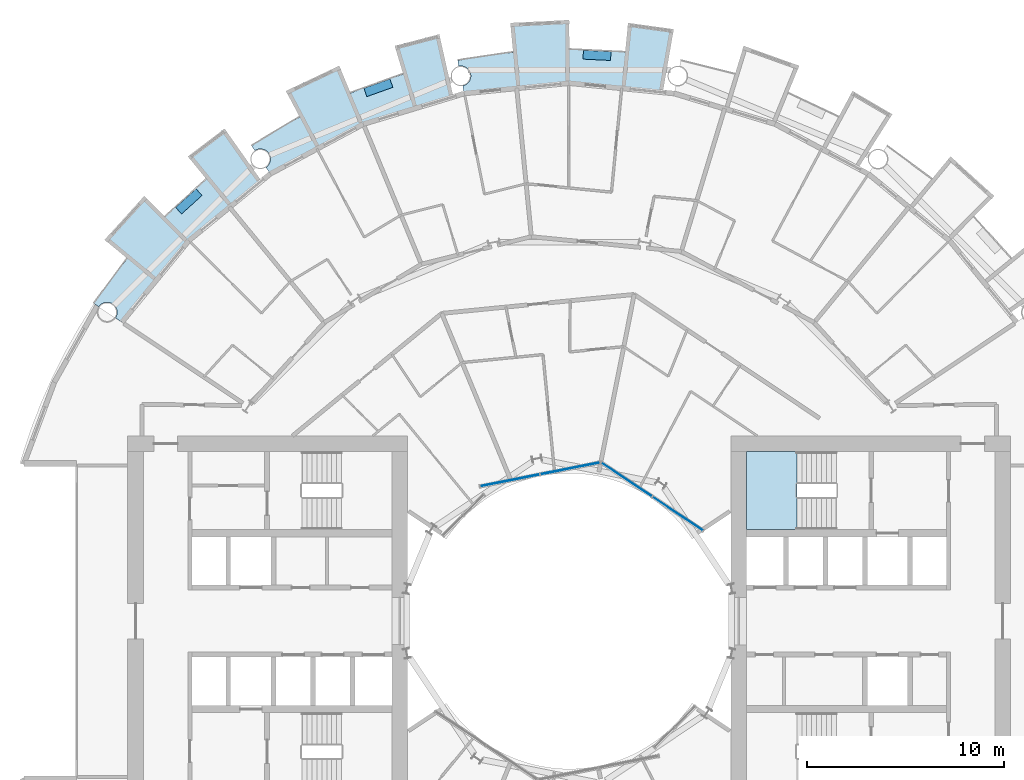
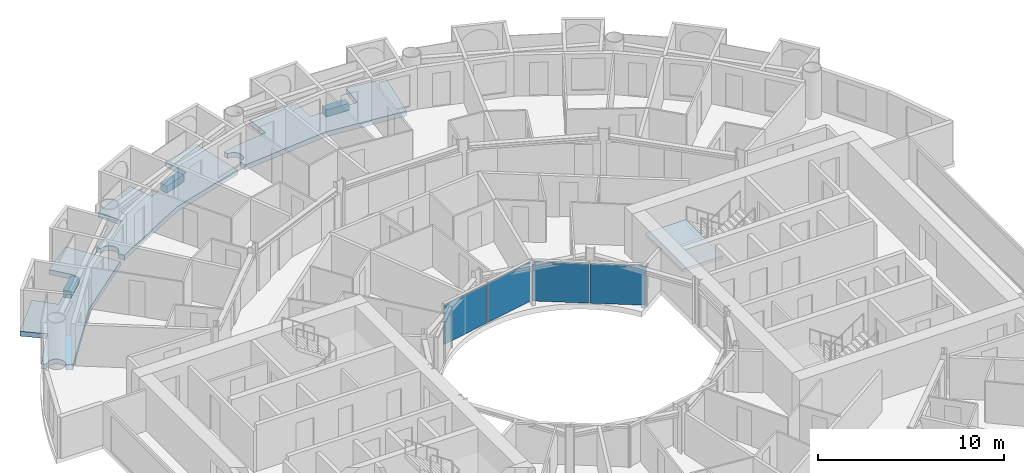
# One storey, part 11 of 26: 7 slabs, 4 plates, 3 elements without a shape of their own.
"""IFC4 building model written with IfcOpenShell, lengths in metres."""

from ifc_helpers import new_model, si_unit, direction, frame, origin, origin_2d, place, context, subcontext, project, spatial, polyline, rectangle, outline, extrude, material, layer, layer_set, type_object, element, aggregate, save


model = new_model("IFC4")

# Units and contexts
model_context = context("Model", 3, precision=1e-05, world=origin(), true_north=direction((0.0, 1.0)))
body_context = subcontext(model_context, "Body", "Model", "MODEL_VIEW")
ifc_project = project(units=[si_unit("LENGTHUNIT", "METRE"), si_unit("AREAUNIT", "SQUARE_METRE"), si_unit("VOLUMEUNIT", "CUBIC_METRE"), si_unit("PLANEANGLEUNIT", "RADIAN"), si_unit("MASSUNIT", "GRAM", prefix="KILO")], contexts=[model_context])

# Site, building, storey
site_placement = place(None, origin())
site = spatial("IfcSite", under=ifc_project, at=site_placement, CompositionType="ELEMENT")
building_placement = place(site_placement, origin())
building = spatial("IfcBuilding", under=site, at=building_placement, Name="Maasbend Ring Residences", CompositionType="ELEMENT")
storey_placement = place(building_placement, frame((0.0, 0.0, 25.85009765625)))
storey = spatial("IfcBuildingStorey", under=building, at=storey_placement, Name="L06", CompositionType="ELEMENT", Elevation=25.85009765625)

# Stair, slab
ifc_material_1 = material(Name="Concrete C40/50", Category="concrete")
stair_type = type_object("IfcStairType", Name="CORE STAIR 18 RISERS", PredefinedType="HALF_TURN_STAIR", material=ifc_material_1)
stair_placement = place(storey_placement, origin())
stair = element("IfcStair", 1, at=stair_placement, inside=storey, type_object=stair_type, Name="L06 Exit stair ST-E1", PredefinedType="HALF_TURN_STAIR")
ifc_material_2 = material(Name="Concrete C40/50", Category="concrete")
ifc_layer_1 = layer(ifc_material_2, 0.199951171875)
ifc_layer_set_1 = layer_set([ifc_layer_1], Name="Concrete C40/50")
slab_type_1 = type_object("IfcSlabType", Name="CORE STAIR LANDING 200", PredefinedType="LANDING", material=ifc_layer_set_1)
slab_1_placement = place(storey_placement, frame((0.0, 0.0, 1.324951171875)))
slab_1 = element("IfcSlab", 2, at=slab_1_placement, type_object=slab_type_1, Name="ST-E1 landing 1", PredefinedType="LANDING", context=body_context, shape_type="SweptSolid", body=[
    extrude(outline(polyline([(11.550048828125, 8.60009765625), (9.0, 8.60009765625), (9.0, 4.64990234375), (11.550048828125, 4.64990234375), (11.550048828125, 8.60009765625)])), origin(), (0.0, 0.0, 1.0), 0.199951171875),
])
aggregate(stair, [slab_1])

# Curtain wall, plates
ifc_material_3 = material(Name="Aluminium and clear glass", Category="aluminium")
ifc_layer_2 = layer(ifc_material_3, 0.179931640625)
ifc_layer_set_2 = layer_set([ifc_layer_2], Name="CW-W")
curtain_wall_type = type_object("IfcCurtainWallType", Name="CW-W", PredefinedType="NOTDEFINED", material=ifc_layer_set_2)
curtain_wall_1_placement = place(storey_placement, origin())
curtain_wall_1 = element("IfcCurtainWall", 3, at=curtain_wall_1_placement, inside=storey, type_object=curtain_wall_type, Name="Well curtain wall N1", PredefinedType="NOTDEFINED")
ifc_material_4 = material(Name="Glass clear laminated", Category="glass")
ifc_layer_3 = layer(ifc_material_4, 0.031982421875)
ifc_layer_set_3 = layer_set([ifc_layer_3], Name="CWP-W")
plate_type = type_object("IfcPlateType", Name="CWP-W", PredefinedType="CURTAIN_PANEL", material=ifc_layer_set_3)
plate_1_placement = place(storey_placement, frame((5.51123046875, 5.44580078125, -0.000244140625), z_axis=(0.0, 0.0, 1.0), x_axis=(-0.831469612303, 0.55557023302, 0.0)))
plate_1 = element("IfcPlate", 4, at=plate_1_placement, type_object=plate_type, Name="Glass panel well face", PredefinedType="CURTAIN_PANEL", context=body_context, shape_type="SweptSolid", body=[
    extrude(rectangle(XDim=3.053955078125, YDim=0.031982421875, at=origin_2d()), origin(), (0.0, 0.0, 1.0), 2.580078125),
])
plate_2_placement = place(storey_placement, frame((2.922119140625, 7.17578125, -0.000244140625), z_axis=(0.0, 0.0, 1.0), x_axis=(-0.831469612303, 0.55557023302, 0.0)))
plate_2 = element("IfcPlate", 5, at=plate_2_placement, type_object=plate_type, Name="Glass panel well face", PredefinedType="CURTAIN_PANEL", context=body_context, shape_type="SweptSolid", body=[
    extrude(rectangle(XDim=3.053955078125, YDim=0.031982421875, at=origin_2d()), origin(), (0.0, 0.0, 1.0), 2.580078125),
])
aggregate(curtain_wall_1, [plate_1, plate_2])

curtain_wall_2_placement = place(storey_placement, origin())
curtain_wall_2 = element("IfcCurtainWall", 6, at=curtain_wall_2_placement, inside=storey, type_object=curtain_wall_type, Name="Well curtain wall N2", PredefinedType="NOTDEFINED")
plate_3_placement = place(storey_placement, frame((0.04638671875, 7.747802734375, -0.000244140625), z_axis=(0.0, 0.0, 1.0), x_axis=(-0.980785280403, -0.195090322016, 0.0)))
plate_3 = element("IfcPlate", 7, at=plate_3_placement, type_object=plate_type, Name="Glass panel well face", PredefinedType="CURTAIN_PANEL", context=body_context, shape_type="SweptSolid", body=[
    extrude(rectangle(XDim=3.053955078125, YDim=0.031982421875, at=origin_2d()), origin(), (0.0, 0.0, 1.0), 2.580078125),
])
plate_4_placement = place(storey_placement, frame((-3.0078125, 7.140380859375, -0.000244140625), z_axis=(0.0, 0.0, 1.0), x_axis=(-0.980785280403, -0.195090322016, 0.0)))
plate_4 = element("IfcPlate", 8, at=plate_4_placement, type_object=plate_type, Name="Glass panel well face", PredefinedType="CURTAIN_PANEL", context=body_context, shape_type="SweptSolid", body=[
    extrude(rectangle(XDim=3.053955078125, YDim=0.031982421875, at=origin_2d()), origin(), (0.0, 0.0, 1.0), 2.580078125),
])
aggregate(curtain_wall_2, [plate_3, plate_4])

# Slabs
ifc_material_5 = material(Name="Planting with climbing greenery")
ifc_layer_4 = layer(ifc_material_5, 0.449951171875)
ifc_layer_set_4 = layer_set([ifc_layer_4], Name="PLANTER-LG")
slab_type_2 = type_object("IfcSlabType", Name="PLANTER-LG", PredefinedType="USERDEFINED", material=ifc_layer_set_4)
slab_2_placement = place(storey_placement, frame((0.0, 0.0, -0.030029296875)))
element("IfcSlab", 9, at=slab_2_placement, inside=storey, type_object=slab_type_2, Name="Planter with climbing greenery 3", ObjectType="PLANTER", PredefinedType="USERDEFINED", context=body_context, shape_type="SweptSolid", body=[
    extrude(outline(polyline([(2.1201171875, 28.89599609375), (0.721923828125, 28.965087890625), (0.699951171875, 28.514892578125), (2.097900390625, 28.446044921875), (2.1201171875, 28.89599609375)])), origin(), (0.0, 0.0, 1.0), 0.449951171875),
])
slab_3_placement = place(storey_placement, frame((0.0, 0.0, -0.030029296875)))
element("IfcSlab", 10, at=slab_3_placement, inside=storey, type_object=slab_type_2, Name="Planter with climbing greenery 4", ObjectType="PLANTER", PredefinedType="USERDEFINED", context=body_context, shape_type="SweptSolid", body=[
    extrude(outline(polyline([(-9.09912109375, 27.508056640625), (-10.4169921875, 27.035888671875), (-10.26611328125, 26.612060546875), (-8.947021484375, 27.083984375), (-9.09912109375, 27.508056640625)])), origin(), (0.0, 0.0, 1.0), 0.449951171875),
])
slab_4_placement = place(storey_placement, frame((0.0, 0.0, -0.030029296875)))
element("IfcSlab", 11, at=slab_4_placement, inside=storey, type_object=slab_type_2, Name="Planter with climbing greenery 5", ObjectType="PLANTER", PredefinedType="USERDEFINED", context=body_context, shape_type="SweptSolid", body=[
    extrude(outline(polyline([(-18.93310546875, 21.931884765625), (-19.969970703125, 20.991943359375), (-19.66796875, 20.657958984375), (-18.631103515625, 21.597900390625), (-18.93310546875, 21.931884765625)])), origin(), (0.0, 0.0, 1.0), 0.449951171875),
])
ifc_material_6 = material(Name="Concrete C40/50", Category="concrete")
ifc_layer_5 = layer(ifc_material_6, 0.199951171875)
ifc_layer_set_5 = layer_set([ifc_layer_5], Name="Concrete C40/50")
slab_type_3 = type_object("IfcSlabType", Name="SL-LOGGIA", PredefinedType="FLOOR", material=ifc_layer_set_5)
slab_5_placement = place(storey_placement, frame((0.0, 0.0, -0.35009765625)))
element("IfcSlab", 12, at=slab_5_placement, inside=storey, type_object=slab_type_3, Name="Loggia floor 1", PredefinedType="FLOOR", context=body_context, shape_type="SweptSolid", body=[
    extrude(outline(polyline([(-14.5, 25.114990234375), (-13.6708984375, 25.574951171875), (-13.6708984375, 25.575927734375), (-13.6708984375, 25.575927734375), (-13.6708984375, 25.575927734375), (-13.6708984375, 25.575927734375), (-13.6708984375, 25.575927734375), (-13.6708984375, 25.575927734375), (-13.6708984375, 25.575927734375), (-13.6708984375, 25.575927734375), (-13.6708984375, 25.575927734375), (-13.6708984375, 25.575927734375), (-13.6708984375, 25.575927734375), (-13.6708984375, 25.575927734375), (-13.6708984375, 25.575927734375), (-13.6708984375, 25.575927734375), (-13.6708984375, 25.575927734375), (-13.6708984375, 25.575927734375), (-14.3779296875, 26.89892578125), (-14.3779296875, 26.89892578125), (-14.3779296875, 26.89892578125), (-11.672119140625, 28.177978515625), (-11.672119140625, 28.177978515625), (-11.672119140625, 28.177978515625), (-11.097900390625, 26.79296875), (-11.097900390625, 26.79296875), (-11.097900390625, 26.79296875), (-11.097900390625, 26.79296875), (-11.097900390625, 26.79296875), (-11.097900390625, 26.79296875), (-11.097900390625, 26.79296875), (-11.097900390625, 26.79296875), (-11.097900390625, 26.79296875), (-11.097900390625, 26.79296875), (-11.097900390625, 26.79296875), (-11.097900390625, 26.79296875), (-11.097900390625, 26.79296875), (-11.097900390625, 26.79296875), (-11.096923828125, 26.79296875), (-11.096923828125, 26.79296875), (-11.096923828125, 26.79296875), (-10.215087890625, 27.14111328125), (-10.215087890625, 27.14111328125), (-9.322021484375, 27.4609375), (-9.322021484375, 27.4609375), (-8.4189453125, 27.7509765625), (-8.4189453125, 27.7509765625), (-8.4189453125, 27.7509765625), (-8.4189453125, 27.7509765625), (-8.4189453125, 27.7509765625), (-8.4189453125, 27.7509765625), (-8.41796875, 27.7509765625), (-8.41796875, 27.7509765625), (-8.41796875, 27.7509765625), (-8.41796875, 27.7509765625), (-8.41796875, 27.7509765625), (-8.41796875, 27.751953125), (-8.41796875, 27.751953125), (-8.41796875, 27.751953125), (-8.41796875, 27.751953125), (-8.41796875, 27.751953125), (-8.41796875, 27.751953125), (-8.85400390625, 29.18701171875), (-8.85400390625, 29.18701171875), (-8.85400390625, 29.18701171875), (-6.593994140625, 29.779052734375), (-6.593994140625, 29.779052734375), (-6.593994140625, 29.779052734375), (-5.89111328125, 26.60400390625), (-5.89111328125, 26.60400390625), (-5.89111328125, 26.60400390625), (-7.886962890625, 25.9990234375), (-10.447021484375, 25.221923828125), (-10.447021484375, 25.221923828125), (-10.447021484375, 25.221923828125), (-12.806884765625, 23.9609375), (-15.1669921875, 22.698974609375), (-15.1669921875, 22.698974609375), (-15.1669921875, 22.698974609375), (-15.385009765625, 23.02490234375), (-15.375, 23.031982421875), (-15.364013671875, 23.0390625), (-15.35498046875, 23.047119140625), (-15.344970703125, 23.054931640625), (-15.3349609375, 23.06298828125), (-15.325927734375, 23.071044921875), (-15.31689453125, 23.0791015625), (-15.30810546875, 23.087890625), (-15.299072265625, 23.096923828125), (-15.291015625, 23.10595703125), (-15.281982421875, 23.115966796875), (-15.27392578125, 23.125), (-15.26708984375, 23.135009765625), (-15.259033203125, 23.14501953125), (-15.251953125, 23.155029296875), (-15.2451171875, 23.1650390625), (-15.238037109375, 23.176025390625), (-15.23095703125, 23.18603515625), (-15.22509765625, 23.197021484375), (-15.218994140625, 23.2080078125), (-15.212890625, 23.218994140625), (-15.2080078125, 23.22998046875), (-15.202880859375, 23.241943359375), (-15.197998046875, 23.2529296875), (-15.193115234375, 23.264892578125), (-15.18896484375, 23.27587890625), (-15.18505859375, 23.2880859375), (-15.180908203125, 23.300048828125), (-15.177978515625, 23.31201171875), (-15.174072265625, 23.323974609375), (-15.1708984375, 23.3359375), (-15.1689453125, 23.347900390625), (-15.1669921875, 23.361083984375), (-15.1650390625, 23.373046875), (-15.1630859375, 23.385009765625), (-15.162109375, 23.39794921875), (-15.159912109375, 23.409912109375), (-15.159912109375, 23.422119140625), (-15.158935546875, 23.43505859375), (-15.158935546875, 23.447021484375), (-15.158935546875, 23.4599609375), (-15.159912109375, 23.471923828125), (-15.159912109375, 23.485107421875), (-15.162109375, 23.4970703125), (-15.1630859375, 23.510009765625), (-15.1650390625, 23.52197265625), (-15.1669921875, 23.533935546875), (-15.1689453125, 23.547119140625), (-15.1708984375, 23.55908203125), (-15.174072265625, 23.571044921875), (-15.177978515625, 23.5830078125), (-15.180908203125, 23.594970703125), (-15.18505859375, 23.60693359375), (-15.18896484375, 23.618896484375), (-15.193115234375, 23.6298828125), (-15.197998046875, 23.64208984375), (-15.202880859375, 23.653076171875), (-15.2080078125, 23.6650390625), (-15.212890625, 23.676025390625), (-15.218994140625, 23.68701171875), (-15.22509765625, 23.697998046875), (-15.23095703125, 23.708984375), (-15.238037109375, 23.718994140625), (-15.2451171875, 23.72998046875), (-15.251953125, 23.739990234375), (-15.259033203125, 23.75), (-15.26708984375, 23.760009765625), (-15.27392578125, 23.77001953125), (-15.281982421875, 23.779052734375), (-15.291015625, 23.7890625), (-15.299072265625, 23.798095703125), (-15.30810546875, 23.806884765625), (-15.31689453125, 23.81494140625), (-15.325927734375, 23.823974609375), (-15.3349609375, 23.83203125), (-15.344970703125, 23.840087890625), (-15.35498046875, 23.847900390625), (-15.364013671875, 23.85498046875), (-15.375, 23.863037109375), (-15.385009765625, 23.8701171875), (-15.39501953125, 23.876953125), (-15.406005859375, 23.883056640625), (-15.4169921875, 23.888916015625), (-15.427978515625, 23.89501953125), (-15.43896484375, 23.90087890625), (-15.449951171875, 23.906982421875), (-15.4609375, 23.912109375), (-15.472900390625, 23.9169921875), (-15.48388671875, 23.9208984375), (-15.49609375, 23.926025390625), (-15.508056640625, 23.929931640625), (-15.52001953125, 23.93408203125), (-15.531982421875, 23.93701171875), (-15.5439453125, 23.93994140625), (-15.555908203125, 23.943115234375), (-15.568115234375, 23.946044921875), (-15.580078125, 23.947998046875), (-15.593017578125, 23.949951171875), (-15.60498046875, 23.951904296875), (-15.616943359375, 23.952880859375), (-15.6298828125, 23.9541015625), (-15.64208984375, 23.955078125), (-15.655029296875, 23.955078125), (-15.6669921875, 23.955078125), (-15.679931640625, 23.955078125), (-15.69189453125, 23.955078125), (-15.7041015625, 23.9541015625), (-15.717041015625, 23.952880859375), (-15.72900390625, 23.951904296875), (-15.741943359375, 23.949951171875), (-15.75390625, 23.947998046875), (-15.76611328125, 23.946044921875), (-15.778076171875, 23.943115234375), (-15.791015625, 23.93994140625), (-15.802978515625, 23.93701171875), (-15.81494140625, 23.93408203125), (-15.825927734375, 23.929931640625), (-15.837890625, 23.926025390625), (-15.85009765625, 23.9208984375), (-15.862060546875, 23.9169921875), (-15.873046875, 23.912109375), (-15.884033203125, 23.906982421875), (-15.89599609375, 23.90087890625), (-15.906982421875, 23.89501953125), (-15.9169921875, 23.888916015625), (-15.927978515625, 23.883056640625), (-15.93896484375, 23.876953125), (-15.948974609375, 23.8701171875), (-16.112060546875, 24.113037109375), (-16.112060546875, 24.113037109375), (-16.112060546875, 24.113037109375), (-15.31396484375, 24.626953125), (-15.31396484375, 24.626953125), (-14.5, 25.114990234375), (-14.5, 25.114990234375)])), origin(), (0.0, 0.0, 1.0), 0.320068359375),
])
slab_6_placement = place(storey_placement, frame((0.0, 0.0, -0.35009765625)))
element("IfcSlab", 13, at=slab_6_placement, inside=storey, type_object=slab_type_3, Name="Loggia floor 3", PredefinedType="FLOOR", context=body_context, shape_type="SweptSolid", body=[
    extrude(outline(polyline([(-3.784912109375, 28.751953125), (-2.843017578125, 28.860107421875), (-2.843017578125, 28.860107421875), (-2.843017578125, 28.860107421875), (-2.843017578125, 28.860107421875), (-2.843017578125, 28.860107421875), (-2.843017578125, 28.860107421875), (-2.843017578125, 28.860107421875), (-2.843017578125, 28.860107421875), (-2.843017578125, 28.860107421875), (-2.843017578125, 28.861083984375), (-2.843017578125, 28.861083984375), (-2.843017578125, 28.861083984375), (-2.843017578125, 28.861083984375), (-2.843017578125, 28.861083984375), (-2.843017578125, 28.861083984375), (-2.843017578125, 28.861083984375), (-2.843017578125, 28.861083984375), (-2.989990234375, 30.35302734375), (-2.989990234375, 30.35302734375), (-2.989990234375, 30.35302734375), (0.0, 30.5), (0.0, 30.5), (0.0, 30.5), (0.0, 29.0), (0.0, 29.0), (0.0, 29.0), (0.0, 29.0), (0.0, 29.0), (0.0, 29.0), (0.0, 29.0), (0.0, 29.0), (0.0, 29.0), (0.0, 29.0), (0.0, 29.0), (0.0, 29.0), (0.0, 29.0), (0.0, 29.0), (0.0, 29.0), (0.0, 29.0), (0.0, 29.0), (0.948974609375, 28.98388671875), (0.948974609375, 28.98388671875), (1.89697265625, 28.93798828125), (1.89697265625, 28.93798828125), (2.842041015625, 28.860107421875), (2.842041015625, 28.860107421875), (2.842041015625, 28.860107421875), (2.842041015625, 28.860107421875), (2.842041015625, 28.860107421875), (2.842041015625, 28.860107421875), (2.842041015625, 28.860107421875), (2.842041015625, 28.860107421875), (2.842041015625, 28.861083984375), (2.842041015625, 28.861083984375), (2.842041015625, 28.861083984375), (2.842041015625, 28.861083984375), (2.842041015625, 28.861083984375), (2.843017578125, 28.861083984375), (2.843017578125, 28.861083984375), (2.843017578125, 28.861083984375), (2.843017578125, 28.861083984375), (2.989990234375, 30.35302734375), (2.989990234375, 30.35302734375), (2.989990234375, 30.35302734375), (5.303955078125, 30.034912109375), (5.303955078125, 30.034912109375), (5.303955078125, 30.034912109375), (4.739013671875, 26.8330078125), (4.739013671875, 26.8330078125), (4.739013671875, 26.8330078125), (2.6630859375, 27.0380859375), (0.0, 27.300048828125), (0.0, 27.300048828125), (0.0, 27.300048828125), (-2.6630859375, 27.0380859375), (-5.325927734375, 26.77490234375), (-5.325927734375, 26.77490234375), (-5.325927734375, 26.77490234375), (-5.402099609375, 27.159912109375), (-5.402099609375, 27.159912109375), (-5.389892578125, 27.162109375), (-5.3779296875, 27.1650390625), (-5.365966796875, 27.1689453125), (-5.35400390625, 27.172119140625), (-5.342041015625, 27.176025390625), (-5.330078125, 27.179931640625), (-5.319091796875, 27.18408203125), (-5.306884765625, 27.18896484375), (-5.2958984375, 27.194091796875), (-5.283935546875, 27.198974609375), (-5.27294921875, 27.2041015625), (-5.261962890625, 27.2099609375), (-5.2509765625, 27.216064453125), (-5.239990234375, 27.221923828125), (-5.22998046875, 27.22900390625), (-5.218994140625, 27.236083984375), (-5.208984375, 27.242919921875), (-5.198974609375, 27.25), (-5.18896484375, 27.258056640625), (-5.178955078125, 27.264892578125), (-5.169921875, 27.27294921875), (-5.159912109375, 27.281982421875), (-5.15087890625, 27.2900390625), (-5.14208984375, 27.299072265625), (-5.134033203125, 27.30810546875), (-5.125, 27.31689453125), (-5.116943359375, 27.325927734375), (-5.10888671875, 27.3359375), (-5.10107421875, 27.345947265625), (-5.093017578125, 27.35498046875), (-5.0859375, 27.365966796875), (-5.0791015625, 27.3759765625), (-5.072021484375, 27.385986328125), (-5.06591796875, 27.39697265625), (-5.05908203125, 27.407958984375), (-5.052978515625, 27.4189453125), (-5.048095703125, 27.429931640625), (-5.0419921875, 27.44091796875), (-5.037109375, 27.451904296875), (-5.031982421875, 27.464111328125), (-5.028076171875, 27.47509765625), (-5.02294921875, 27.487060546875), (-5.01904296875, 27.4990234375), (-5.014892578125, 27.510986328125), (-5.011962890625, 27.52294921875), (-5.009033203125, 27.534912109375), (-5.006103515625, 27.547119140625), (-5.0029296875, 27.55908203125), (-5.0009765625, 27.571044921875), (-4.9990234375, 27.583984375), (-4.9970703125, 27.595947265625), (-4.99609375, 27.60791015625), (-4.9951171875, 27.62109375), (-4.993896484375, 27.633056640625), (-4.993896484375, 27.64599609375), (-4.993896484375, 27.657958984375), (-4.993896484375, 27.6708984375), (-4.993896484375, 27.68310546875), (-4.9951171875, 27.695068359375), (-4.99609375, 27.7080078125), (-4.9970703125, 27.719970703125), (-4.9990234375, 27.73291015625), (-5.0009765625, 27.7451171875), (-5.0029296875, 27.757080078125), (-5.006103515625, 27.76904296875), (-5.009033203125, 27.781982421875), (-5.011962890625, 27.7939453125), (-5.014892578125, 27.805908203125), (-5.01904296875, 27.81689453125), (-5.02294921875, 27.8291015625), (-5.028076171875, 27.841064453125), (-5.031982421875, 27.85302734375), (-5.037109375, 27.864013671875), (-5.0419921875, 27.875), (-5.048095703125, 27.886962890625), (-5.052978515625, 27.89794921875), (-5.05908203125, 27.907958984375), (-5.06591796875, 27.9189453125), (-5.072021484375, 27.929931640625), (-5.0791015625, 27.93994140625), (-5.0859375, 27.950927734375), (-5.093017578125, 27.9609375), (-5.10107421875, 27.970947265625), (-5.10888671875, 27.97998046875), (-5.116943359375, 27.989990234375), (-5.125, 27.9990234375), (-5.134033203125, 28.008056640625), (-5.14208984375, 28.01708984375), (-5.15087890625, 28.02587890625), (-5.159912109375, 28.034912109375), (-5.169921875, 28.04296875), (-5.178955078125, 28.051025390625), (-5.18896484375, 28.05908203125), (-5.198974609375, 28.06591796875), (-5.208984375, 28.072998046875), (-5.218994140625, 28.080078125), (-5.22998046875, 28.0869140625), (-5.239990234375, 28.093994140625), (-5.2509765625, 28.10009765625), (-5.261962890625, 28.10595703125), (-5.27294921875, 28.112060546875), (-5.283935546875, 28.116943359375), (-5.2958984375, 28.123046875), (-5.306884765625, 28.126953125), (-5.319091796875, 28.132080078125), (-5.330078125, 28.135986328125), (-5.342041015625, 28.139892578125), (-5.35400390625, 28.14404296875), (-5.365966796875, 28.14794921875), (-5.3779296875, 28.15087890625), (-5.389892578125, 28.154052734375), (-5.402099609375, 28.156005859375), (-5.4150390625, 28.158935546875), (-5.427001953125, 28.160888671875), (-5.43896484375, 28.162109375), (-5.451904296875, 28.1640625), (-5.464111328125, 28.1650390625), (-5.47705078125, 28.1650390625), (-5.489013671875, 28.166015625), (-5.501953125, 28.166015625), (-5.513916015625, 28.166015625), (-5.52587890625, 28.1650390625), (-5.5390625, 28.1650390625), (-5.551025390625, 28.1640625), (-5.56396484375, 28.162109375), (-5.575927734375, 28.160888671875), (-5.587890625, 28.158935546875), (-5.60107421875, 28.156005859375), (-5.60107421875, 28.156005859375), (-5.657958984375, 28.443115234375), (-5.657958984375, 28.443115234375), (-5.657958984375, 28.443115234375), (-4.72412109375, 28.613037109375), (-4.72412109375, 28.613037109375), (-3.784912109375, 28.751953125), (-3.784912109375, 28.751953125)])), origin(), (0.0, 0.0, 1.0), 0.320068359375),
])
slab_7_placement = place(storey_placement, frame((0.0, 0.0, -0.35009765625)))
element("IfcSlab", 14, at=slab_7_placement, inside=storey, type_object=slab_type_3, Name="Loggia floor 5", PredefinedType="FLOOR", context=body_context, shape_type="SweptSolid", body=[
    extrude(outline(polyline([(-23.007080078125, 17.654052734375), (-22.41796875, 18.39697265625), (-22.41796875, 18.39697265625), (-22.41796875, 18.39697265625), (-22.41796875, 18.39697265625), (-22.41796875, 18.39697265625), (-22.41796875, 18.39697265625), (-22.41796875, 18.39697265625), (-22.41796875, 18.39697265625), (-22.41796875, 18.39697265625), (-22.41796875, 18.39697265625), (-22.41796875, 18.39697265625), (-22.41796875, 18.39794921875), (-22.41796875, 18.39794921875), (-22.41796875, 18.39794921875), (-22.41796875, 18.39794921875), (-22.41796875, 18.39794921875), (-22.41796875, 18.39794921875), (-23.576904296875, 19.34912109375), (-23.576904296875, 19.34912109375), (-23.576904296875, 19.34912109375), (-21.56689453125, 21.56689453125), (-21.56689453125, 21.56689453125), (-21.56689453125, 21.56689453125), (-20.506103515625, 20.506103515625), (-20.506103515625, 20.506103515625), (-20.506103515625, 20.506103515625), (-20.506103515625, 20.506103515625), (-20.506103515625, 20.506103515625), (-20.506103515625, 20.506103515625), (-20.506103515625, 20.506103515625), (-20.506103515625, 20.506103515625), (-20.506103515625, 20.506103515625), (-20.506103515625, 20.506103515625), (-20.506103515625, 20.506103515625), (-20.506103515625, 20.506103515625), (-20.506103515625, 20.506103515625), (-20.506103515625, 20.506103515625), (-20.506103515625, 20.506103515625), (-20.506103515625, 20.506103515625), (-20.506103515625, 20.506103515625), (-19.823974609375, 21.166015625), (-19.823974609375, 21.166015625), (-19.12109375, 21.802978515625), (-19.12109375, 21.802978515625), (-18.39794921875, 22.4169921875), (-18.39794921875, 22.4169921875), (-18.39794921875, 22.4169921875), (-18.39794921875, 22.4169921875), (-18.39794921875, 22.4169921875), (-18.39794921875, 22.4169921875), (-18.39794921875, 22.4169921875), (-18.39794921875, 22.4169921875), (-18.39794921875, 22.4169921875), (-18.39794921875, 22.4169921875), (-18.39794921875, 22.4169921875), (-18.39794921875, 22.4169921875), (-18.39794921875, 22.41796875), (-18.39794921875, 22.41796875), (-18.39794921875, 22.41796875), (-18.39794921875, 22.41796875), (-18.39794921875, 22.41796875), (-19.34912109375, 23.576904296875), (-19.34912109375, 23.576904296875), (-19.34912109375, 23.576904296875), (-17.488037109375, 24.989013671875), (-17.488037109375, 24.989013671875), (-17.488037109375, 24.989013671875), (-15.623046875, 22.324951171875), (-15.623046875, 22.324951171875), (-15.623046875, 22.324951171875), (-17.236083984375, 21.001953125), (-19.303955078125, 19.303955078125), (-19.303955078125, 19.303955078125), (-19.303955078125, 19.303955078125), (-21.001953125, 17.236083984375), (-22.698974609375, 15.1669921875), (-22.698974609375, 15.1669921875), (-22.698974609375, 15.1669921875), (-23.02490234375, 15.385009765625), (-23.02490234375, 15.385009765625), (-23.01806640625, 15.39501953125), (-23.011962890625, 15.406005859375), (-23.0048828125, 15.4169921875), (-22.9990234375, 15.427978515625), (-22.993896484375, 15.43896484375), (-22.988037109375, 15.449951171875), (-22.98291015625, 15.4609375), (-22.97802734375, 15.472900390625), (-22.972900390625, 15.48388671875), (-22.968994140625, 15.49609375), (-22.965087890625, 15.508056640625), (-22.9609375, 15.52001953125), (-22.9580078125, 15.531982421875), (-22.955078125, 15.5439453125), (-22.951904296875, 15.555908203125), (-22.948974609375, 15.568115234375), (-22.947021484375, 15.580078125), (-22.945068359375, 15.593017578125), (-22.943115234375, 15.60498046875), (-22.94189453125, 15.616943359375), (-22.94091796875, 15.6298828125), (-22.93994140625, 15.64208984375), (-22.93994140625, 15.655029296875), (-22.93896484375, 15.6669921875), (-22.93994140625, 15.679931640625), (-22.93994140625, 15.69189453125), (-22.94091796875, 15.7041015625), (-22.94189453125, 15.717041015625), (-22.943115234375, 15.72900390625), (-22.945068359375, 15.741943359375), (-22.947021484375, 15.75390625), (-22.948974609375, 15.76611328125), (-22.951904296875, 15.778076171875), (-22.955078125, 15.791015625), (-22.9580078125, 15.802978515625), (-22.9609375, 15.81494140625), (-22.965087890625, 15.825927734375), (-22.968994140625, 15.837890625), (-22.972900390625, 15.85009765625), (-22.97802734375, 15.862060546875), (-22.98291015625, 15.873046875), (-22.988037109375, 15.884033203125), (-22.993896484375, 15.89599609375), (-22.9990234375, 15.906982421875), (-23.0048828125, 15.9169921875), (-23.011962890625, 15.927978515625), (-23.01806640625, 15.93896484375), (-23.02490234375, 15.948974609375), (-23.031982421875, 15.9599609375), (-23.0390625, 15.969970703125), (-23.047119140625, 15.97998046875), (-23.054931640625, 15.989013671875), (-23.06298828125, 15.9990234375), (-23.071044921875, 16.008056640625), (-23.0791015625, 16.01708984375), (-23.087890625, 16.02587890625), (-23.096923828125, 16.034912109375), (-23.10595703125, 16.0439453125), (-23.115966796875, 16.052001953125), (-23.125, 16.06005859375), (-23.135009765625, 16.068115234375), (-23.14501953125, 16.074951171875), (-23.155029296875, 16.08203125), (-23.1650390625, 16.089111328125), (-23.176025390625, 16.095947265625), (-23.18603515625, 16.10302734375), (-23.197021484375, 16.10888671875), (-23.2080078125, 16.114990234375), (-23.218994140625, 16.12109375), (-23.22998046875, 16.1259765625), (-23.241943359375, 16.132080078125), (-23.2529296875, 16.135986328125), (-23.264892578125, 16.14111328125), (-23.27587890625, 16.14501953125), (-23.2880859375, 16.14892578125), (-23.300048828125, 16.153076171875), (-23.31201171875, 16.156982421875), (-23.323974609375, 16.159912109375), (-23.3359375, 16.1630859375), (-23.347900390625, 16.1650390625), (-23.361083984375, 16.16796875), (-23.373046875, 16.169921875), (-23.385009765625, 16.1708984375), (-23.39794921875, 16.173095703125), (-23.409912109375, 16.174072265625), (-23.422119140625, 16.174072265625), (-23.43505859375, 16.175048828125), (-23.447021484375, 16.175048828125), (-23.4599609375, 16.175048828125), (-23.471923828125, 16.174072265625), (-23.485107421875, 16.174072265625), (-23.4970703125, 16.173095703125), (-23.510009765625, 16.1708984375), (-23.52197265625, 16.169921875), (-23.533935546875, 16.16796875), (-23.547119140625, 16.1650390625), (-23.55908203125, 16.1630859375), (-23.571044921875, 16.159912109375), (-23.5830078125, 16.156982421875), (-23.594970703125, 16.153076171875), (-23.60693359375, 16.14892578125), (-23.618896484375, 16.14501953125), (-23.6298828125, 16.14111328125), (-23.64208984375, 16.135986328125), (-23.653076171875, 16.132080078125), (-23.6650390625, 16.1259765625), (-23.676025390625, 16.12109375), (-23.68701171875, 16.114990234375), (-23.697998046875, 16.10888671875), (-23.708984375, 16.10302734375), (-23.718994140625, 16.095947265625), (-23.72998046875, 16.089111328125), (-23.739990234375, 16.08203125), (-23.75, 16.074951171875), (-23.760009765625, 16.068115234375), (-23.77001953125, 16.06005859375), (-23.779052734375, 16.052001953125), (-23.7890625, 16.0439453125), (-23.798095703125, 16.034912109375), (-23.806884765625, 16.02587890625), (-23.81494140625, 16.01708984375), (-23.823974609375, 16.008056640625), (-23.83203125, 15.9990234375), (-23.840087890625, 15.989013671875), (-23.847900390625, 15.97998046875), (-23.85498046875, 15.969970703125), (-23.863037109375, 15.9599609375), (-23.8701171875, 15.948974609375), (-23.8701171875, 15.948974609375), (-24.113037109375, 16.112060546875), (-24.113037109375, 16.112060546875), (-24.113037109375, 16.112060546875), (-23.572998046875, 16.89208984375), (-23.572998046875, 16.89208984375), (-23.007080078125, 17.654052734375), (-23.007080078125, 17.654052734375)])), origin(), (0.0, 0.0, 1.0), 0.320068359375),
])

save(model, "model.ifc")
